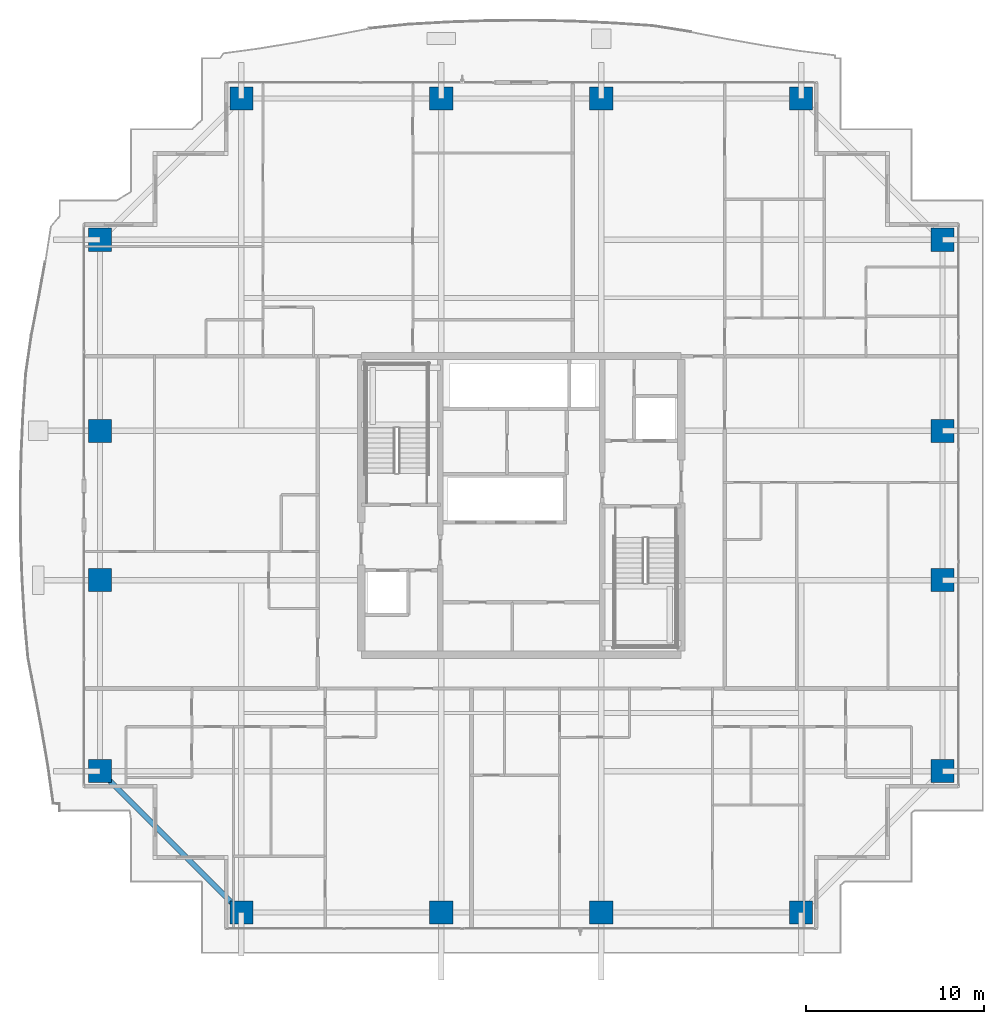
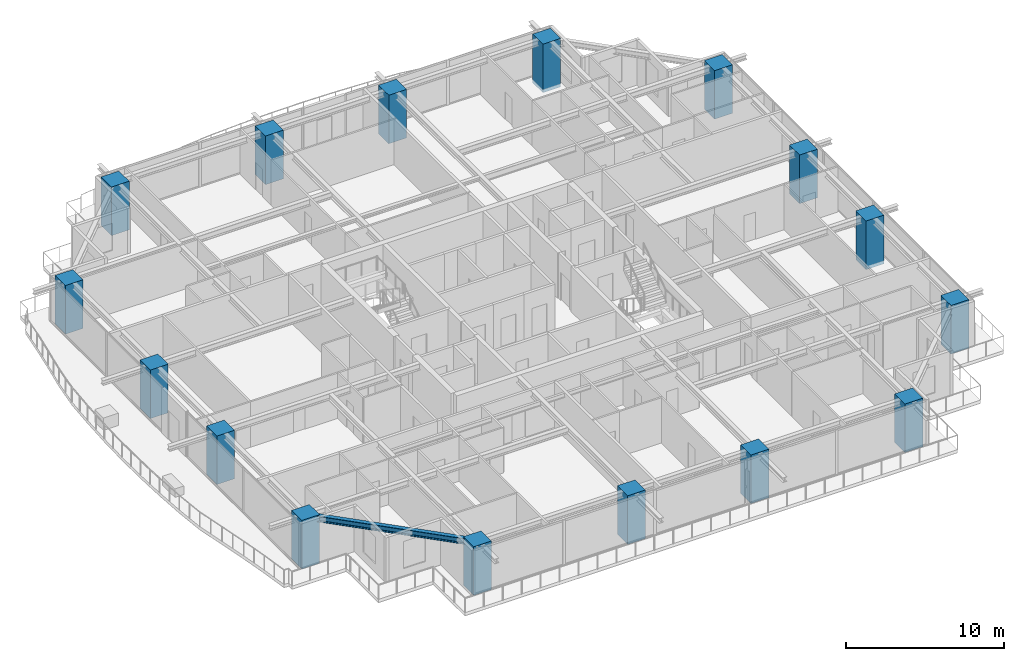
# One storey, part 1 of 39: 16 columns, 1 beam.
"""IFC4 building model written with IfcOpenShell, lengths in metres."""

from ifc_helpers import new_model, si_unit, direction, frame, origin, origin_2d, place, context, subcontext, project, spatial, rectangle, i_section, extrude, source, transform, mapped, material, material_profile, profile_set, type_object, element, save


model = new_model("IFC4")

# Units and contexts
model_context = context("Model", 3, precision=1e-05, world=origin(), true_north=direction((0.0, 1.0)))
body_context = subcontext(model_context, "Body", "Model", "MODEL_VIEW")
ifc_project = project(units=[si_unit("LENGTHUNIT", "METRE"), si_unit("AREAUNIT", "SQUARE_METRE"), si_unit("VOLUMEUNIT", "CUBIC_METRE"), si_unit("PLANEANGLEUNIT", "RADIAN"), si_unit("MASSUNIT", "GRAM", prefix="KILO")], contexts=[model_context])

# Site, building, storey
site_placement = place(None, origin())
site = spatial("IfcSite", under=ifc_project, at=site_placement, CompositionType="ELEMENT")
building_placement = place(site_placement, origin())
building = spatial("IfcBuilding", under=site, at=building_placement, Name="Serunith Strait Residences", CompositionType="ELEMENT")
storey_placement = place(building_placement, frame((0.0, 0.0, 168.89990234375)))
storey = spatial("IfcBuildingStorey", under=building, at=storey_placement, Name="L42", CompositionType="ELEMENT", Elevation=168.89990234375)

# Columns
ifc_material_1 = material(Name="Concrete C80/95", Category="concrete")
ifc_material_profile_1 = material_profile(ifc_material_1, rectangle(XDim=1.300048828125, YDim=1.300048828125, at=origin_2d()), Name="RC 1300x1300")
ifc_profile_set_1 = profile_set([ifc_material_profile_1], Name="Concrete C80/95")
column_type = type_object("IfcColumnType", Name="COL-RC-1300", PredefinedType="COLUMN", material=ifc_profile_set_1)
shared_shape_1 = source(origin(), body_context, "Body", "SweptSolid", [
    extrude(rectangle(XDim=1.300048828125, YDim=1.300048828125, at=origin_2d()), origin(), (0.0, 0.0, 1.0), 3.75),
])
for number, where, z_axis, x_axis, name in (
    (1, (16.64990234375, 2.300048828125, -0.260009765625), (0.0, 0.0, 1.0), (1.0, 0.0, 0.0), "L42 Tower Mega-Column TC-S1"),
    (2, (27.89990234375, 2.300048828125, -0.260009765625), (0.0, 0.0, 1.0), (1.0, 0.0, 0.0), "L42 Tower Mega-Column TC-S2"),
    (3, (36.89990234375, 2.300048828125, -0.260009765625), (0.0, 0.0, 1.0), (1.0, 0.0, 0.0), "L42 Tower Mega-Column TC-S3"),
    (4, (48.14990234375, 2.300048828125, -0.260009765625), (0.0, 0.0, 1.0), (1.0, 0.0, 0.0), "L42 Tower Mega-Column TC-S4"),
    (5, (16.64990234375, 48.10009765625, -0.260009765625), (0.0, 0.0, 1.0), (1.0, 0.0, 0.0), "L42 Tower Mega-Column TC-N1"),
    (6, (27.89990234375, 48.10009765625, -0.260009765625), (0.0, 0.0, 1.0), (1.0, 0.0, 0.0), "L42 Tower Mega-Column TC-N2"),
    (7, (36.89990234375, 48.10009765625, -0.260009765625), (0.0, 0.0, 1.0), (1.0, 0.0, 0.0), "L42 Tower Mega-Column TC-N3"),
    (8, (48.14990234375, 48.10009765625, -0.260009765625), (0.0, 0.0, 1.0), (1.0, 0.0, 0.0), "L42 Tower Mega-Column TC-N4"),
    (9, (56.10009765625, 10.25, -0.260009765625), (0.0, 0.0, 1.0), (1.0, 0.0, 0.0), "L42 Tower Mega-Column TC-E1"),
    (10, (56.10009765625, 21.0, -0.260009765625), (0.0, 0.0, 1.0), (1.0, 0.0, 0.0), "L42 Tower Mega-Column TC-E2"),
    (11, (56.10009765625, 29.39990234375, -0.260009765625), (0.0, 0.0, 1.0), (1.0, 0.0, 0.0), "L42 Tower Mega-Column TC-E3"),
    (12, (56.10009765625, 40.14990234375, -0.260009765625), (0.0, 0.0, 1.0), (1.0, 0.0, 0.0), "L42 Tower Mega-Column TC-E4"),
    (13, (8.699951171875, 10.25, -0.260009765625), (0.0, 0.0, 1.0), (1.0, 0.0, 0.0), "L42 Tower Mega-Column TC-W1"),
    (14, (8.699951171875, 21.0, -0.260009765625), (0.0, 0.0, 1.0), (1.0, 0.0, 0.0), "L42 Tower Mega-Column TC-W2"),
    (15, (8.699951171875, 29.39990234375, -0.260009765625), (0.0, 0.0, 1.0), (1.0, 0.0, 0.0), "L42 Tower Mega-Column TC-W3"),
    (16, (8.699951171875, 40.14990234375, -0.260009765625), (0.0, 0.0, 1.0), (1.0, 0.0, 0.0), "L42 Tower Mega-Column TC-W4"),
):
    element("IfcColumn", number, at=place(storey_placement, frame(where, z_axis=z_axis, x_axis=x_axis)), inside=storey, type_object=column_type, Name=name, PredefinedType="COLUMN", context=body_context, shape_type="MappedRepresentation", body=[
        mapped(shared_shape_1, transform((0.0, 0.0, 0.0), scale=1.0)),
    ])

# Beam
ifc_material_2 = material(Name="Steel S355J2", Category="steel")
ifc_material_profile_2 = material_profile(ifc_material_2, i_section(OverallWidth=0.300048828125, OverallDepth=0.449951171875, WebThickness=0.013916015625, FlangeThickness=0.02587890625, FilletRadius=0.027099609375, at=origin_2d()), Name="HEB 450")
ifc_profile_set_2 = profile_set([ifc_material_profile_2], Name="Steel S355J2")
beam_type = type_object("IfcBeamType", Name="BM-HEB450", PredefinedType="BEAM", material=ifc_profile_set_2)
shared_shape_2 = source(origin(), body_context, "Body", "SweptSolid", [
    extrude(i_section(OverallWidth=0.300048828125, OverallDepth=0.449951171875, WebThickness=0.013916015625, FlangeThickness=0.02587890625, FilletRadius=0.027099609375, at=origin_2d()), origin(), (0.0, 0.0, 1.0), 11.242919921875),
])
beam_placement = place(storey_placement, frame((8.699951171875, 10.25, 3.232177734375), z_axis=(0.707106781187, -0.707106781187, 0.0), x_axis=(0.707106781187, 0.707106781187, 0.0)))
element("IfcBeam", 17, at=beam_placement, inside=storey, type_object=beam_type, Name="L42 Perimeter Ring Beam 16", PredefinedType="BEAM", context=body_context, shape_type="MappedRepresentation", body=[
    mapped(shared_shape_2, transform((0.0, 0.0, 0.0), scale=1.0)),
])

save(model, "model.ifc")
